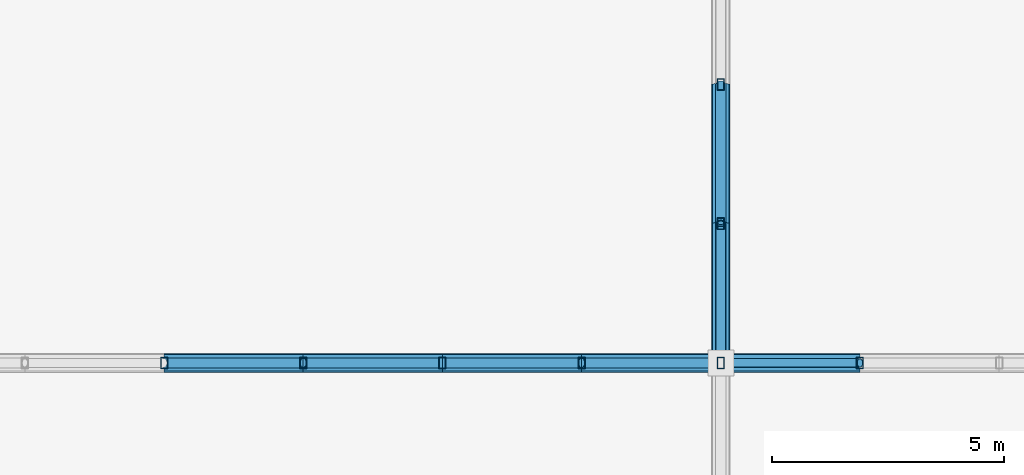
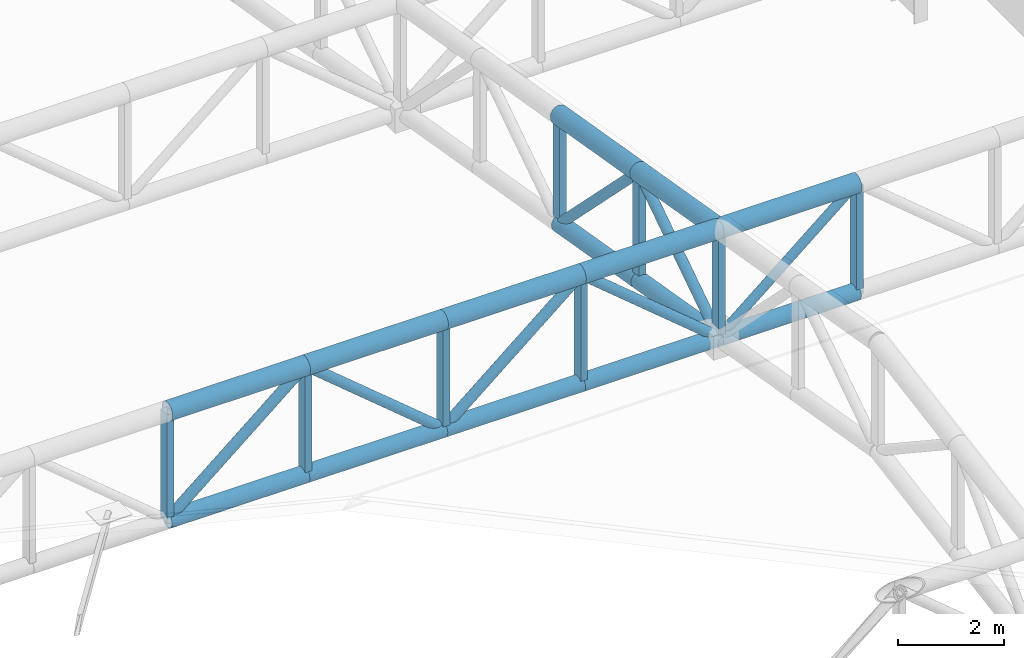
# One storey, part 118 of 239: 29 members.
"""IFC4 building model written with IfcOpenShell, lengths in metres."""

from ifc_helpers import new_model, si_unit, direction, frame, origin, origin_2d, place, context, subcontext, project, spatial, hollow_rectangle, hollow_circle, extrude, material, material_profile, profile_set, type_object, element, save


model = new_model("IFC4")

# Units and contexts
model_context = context("Model", 3, precision=1e-05, world=origin(), true_north=direction((0.0, 1.0)))
body_context = subcontext(model_context, "Body", "Model", "MODEL_VIEW")
ifc_project = project(units=[si_unit("LENGTHUNIT", "METRE"), si_unit("AREAUNIT", "SQUARE_METRE"), si_unit("VOLUMEUNIT", "CUBIC_METRE"), si_unit("PLANEANGLEUNIT", "RADIAN"), si_unit("MASSUNIT", "GRAM", prefix="KILO")], contexts=[model_context])

# Site, building, storey
site_placement = place(None, origin())
site = spatial("IfcSite", under=ifc_project, at=site_placement, CompositionType="ELEMENT")
building_placement = place(site_placement, origin())
building = spatial("IfcBuilding", under=site, at=building_placement, Name="Kaldris Quays Convention Centre", CompositionType="ELEMENT")
storey_placement = place(building_placement, frame((0.0, 0.0, 11.39990234375)))
storey = spatial("IfcBuildingStorey", under=building, at=storey_placement, Name="L02", CompositionType="ELEMENT", Elevation=11.39990234375)

# Members
ifc_material = material(Name="Steel S355J2H", Category="steel")
ifc_material_profile_1 = material_profile(ifc_material, hollow_circle(Radius=0.203125, WallThickness=0.01611328125, at=origin_2d()), Name="CHS 406.4x16")
ifc_profile_set_1 = profile_set([ifc_material_profile_1], Name="Steel S355J2H")
member_type_1 = type_object("IfcMemberType", Name="STRUCTURAL MEMBER SC01", PredefinedType="CHORD", material=ifc_profile_set_1)
for number, where, z_axis, x_axis, name in (
    (1, (116.0, 104.0, 15.84326171875), (1.0, 0.0, 0.0), (0.0, 1.0, 0.0), "SF-V1 Top Chord X 201"),
    (2, (119.0, 104.0, 15.84326171875), (1.0, 0.0, 0.0), (0.0, 1.0, 0.0), "SF-V1 Top Chord X 202"),
    (3, (122.0, 104.0, 15.84326171875), (1.0, 0.0, 0.0), (0.0, 1.0, 0.0), "SF-V1 Top Chord X 203"),
    (4, (125.0, 104.0, 15.84326171875), (1.0, 0.0, 0.0), (0.0, 1.0, 0.0), "SF-V1 Top Chord X 204"),
    (5, (128.0, 104.0, 15.84326171875), (1.0, 0.0, 0.0), (0.0, 1.0, 0.0), "SF-V1 Top Chord X 205"),
):
    element("IfcMember", number, at=place(storey_placement, frame(where, z_axis=z_axis, x_axis=x_axis)), inside=storey, type_object=member_type_1, Name=name, PredefinedType="CHORD", context=body_context, shape_type="SweptSolid", body=[
        extrude(hollow_circle(Radius=0.203125, WallThickness=0.01611328125, at=origin_2d()), origin(), (0.0, 0.0, 1.0), 3.0),
    ])
for number, where, z_axis, x_axis, name in (
    (6, (128.0, 104.0, 15.84326171875), (0.0, 0.98562912375, -0.168923741424), (-1.0, 0.0, 0.0), "SF-V1 Top Chord Y 521"),
    (7, (128.0, 107.0, 15.3291015625), (0.0, 0.985615766076, -0.169001661712), (-1.0, 0.0, 0.0), "SF-V1 Top Chord Y 522"),
):
    element("IfcMember", number, at=place(storey_placement, frame(where, z_axis=z_axis, x_axis=x_axis)), inside=storey, type_object=member_type_1, Name=name, PredefinedType="CHORD", context=body_context, shape_type="SweptSolid", body=[
        extrude(hollow_circle(Radius=0.203125, WallThickness=0.01611328125, at=origin_2d()), origin(), (0.0, 0.0, 1.0), 3.043701171875),
    ])
ifc_material_profile_2 = material_profile(ifc_material, hollow_circle(Radius=0.177734375, WallThickness=0.01611328125, at=origin_2d()), Name="CHS 355.6x16")
ifc_profile_set_2 = profile_set([ifc_material_profile_2], Name="Steel S355J2H")
member_type_2 = type_object("IfcMemberType", Name="STRUCTURAL MEMBER SC02", PredefinedType="CHORD", material=ifc_profile_set_2)
for number, where, z_axis, x_axis, name in (
    (8, (116.0, 104.0, 13.34326171875), (1.0, 0.0, 0.0), (0.0, 1.0, 0.0), "SF-V1 Bottom Chord X 201"),
    (9, (119.0, 104.0, 13.34326171875), (1.0, 0.0, 0.0), (0.0, 1.0, 0.0), "SF-V1 Bottom Chord X 202"),
    (10, (122.0, 104.0, 13.34326171875), (1.0, 0.0, 0.0), (0.0, 1.0, 0.0), "SF-V1 Bottom Chord X 203"),
    (11, (125.0, 104.0, 13.34326171875), (1.0, 0.0, 0.0), (0.0, 1.0, 0.0), "SF-V1 Bottom Chord X 204"),
    (12, (128.0, 104.0, 13.34326171875), (1.0, 0.0, 0.0), (0.0, 1.0, 0.0), "SF-V1 Bottom Chord X 205"),
):
    element("IfcMember", number, at=place(storey_placement, frame(where, z_axis=z_axis, x_axis=x_axis)), inside=storey, type_object=member_type_2, Name=name, PredefinedType="CHORD", context=body_context, shape_type="SweptSolid", body=[
        extrude(hollow_circle(Radius=0.177734375, WallThickness=0.01611328125, at=origin_2d()), origin(), (0.0, 0.0, 1.0), 3.0),
    ])
for number, where, z_axis, x_axis, name in (
    (13, (128.0, 104.0, 13.34326171875), (0.0, 0.98562912375, -0.168923741424), (-1.0, 0.0, 0.0), "SF-V1 Bottom Chord Y 521"),
    (14, (128.0, 107.0, 12.8291015625), (0.0, 0.985615766076, -0.169001661712), (-1.0, 0.0, 0.0), "SF-V1 Bottom Chord Y 522"),
):
    element("IfcMember", number, at=place(storey_placement, frame(where, z_axis=z_axis, x_axis=x_axis)), inside=storey, type_object=member_type_2, Name=name, PredefinedType="CHORD", context=body_context, shape_type="SweptSolid", body=[
        extrude(hollow_circle(Radius=0.177734375, WallThickness=0.01611328125, at=origin_2d()), origin(), (0.0, 0.0, 1.0), 3.043701171875),
    ])
ifc_material_profile_3 = material_profile(ifc_material, hollow_circle(Radius=0.109619140625, WallThickness=0.010009765625, at=origin_2d()), Name="CHS 219.1x10")
ifc_profile_set_3 = profile_set([ifc_material_profile_3], Name="Steel S355J2H")
member_type_3 = type_object("IfcMemberType", Name="STRUCTURAL MEMBER SWB1", PredefinedType="BRACE", material=ifc_profile_set_3)
for number, where, z_axis, x_axis, name in (
    (15, (116.0, 104.0, 13.34326171875), (0.768221279597, 0.0, 0.640184399664), (0.0, 1.0, 0.0), "SF-V1 Web Diagonal X 201"),
    (16, (122.0, 104.0, 13.34326171875), (-0.768221279597, 0.0, 0.640184399664), (0.0, -1.0, 0.0), "SF-V1 Web Diagonal X 202"),
    (17, (122.0, 104.0, 13.34326171875), (0.768221279597, 0.0, 0.640184399664), (0.0, 1.0, 0.0), "SF-V1 Web Diagonal X 203"),
    (18, (128.0, 104.0, 13.34326171875), (-0.768221279597, 0.0, 0.640184399664), (0.0, -1.0, 0.0), "SF-V1 Web Diagonal X 204"),
):
    element("IfcMember", number, at=place(storey_placement, frame(where, z_axis=z_axis, x_axis=x_axis)), inside=storey, type_object=member_type_3, Name=name, PredefinedType="BRACE", context=body_context, shape_type="SweptSolid", body=[
        extrude(hollow_circle(Radius=0.109619140625, WallThickness=0.010009765625, at=origin_2d()), origin(), (0.0, 0.0, 1.0), 3.905029296875),
    ])
member_1_placement = place(storey_placement, frame((128.0, 104.0, 13.34326171875), z_axis=(0.0, 0.833862389808, 0.551972385962), x_axis=(-1.0, 0.0, 0.0)))
element("IfcMember", 19, at=member_1_placement, inside=storey, type_object=member_type_3, Name="SF-V1 Web Diagonal Y 521", PredefinedType="BRACE", context=body_context, shape_type="SweptSolid", body=[
    extrude(hollow_circle(Radius=0.109619140625, WallThickness=0.010009765625, at=origin_2d()), origin(), (0.0, 0.0, 1.0), 3.59765625),
])
member_2_placement = place(storey_placement, frame((128.0, 110.0, 12.314697265625), z_axis=(0.0, -0.705411261057, 0.708798245465), x_axis=(1.0, 0.0, 0.0)))
element("IfcMember", 20, at=member_2_placement, inside=storey, type_object=member_type_3, Name="SF-V1 Web Diagonal Y 522", PredefinedType="BRACE", context=body_context, shape_type="SweptSolid", body=[
    extrude(hollow_circle(Radius=0.109619140625, WallThickness=0.010009765625, at=origin_2d()), origin(), (0.0, 0.0, 1.0), 4.2529296875),
])
ifc_material_profile_4 = material_profile(ifc_material, hollow_circle(Radius=0.096923828125, WallThickness=0.008056640625, at=origin_2d()), Name="CHS 193.7x8")
ifc_profile_set_4 = profile_set([ifc_material_profile_4], Name="Steel S355J2H")
member_type_4 = type_object("IfcMemberType", Name="STRUCTURAL MEMBER SWB3", PredefinedType="BRACE", material=ifc_profile_set_4)
member_3_placement = place(storey_placement, frame((128.0, 104.0, 13.34326171875), z_axis=(0.768221279597, 0.0, 0.640184399664), x_axis=(0.0, 1.0, 0.0)))
element("IfcMember", 21, at=member_3_placement, inside=storey, type_object=member_type_4, Name="SF-V1 Web Diagonal X 205", PredefinedType="BRACE", context=body_context, shape_type="SweptSolid", body=[
    extrude(hollow_circle(Radius=0.096923828125, WallThickness=0.008056640625, at=origin_2d()), origin(), (0.0, 0.0, 1.0), 3.905029296875),
])
ifc_material_profile_5 = material_profile(ifc_material, hollow_rectangle(XDim=0.14990234375, YDim=0.25, WallThickness=0.010009765625, at=origin_2d()), Name="RHS 250x150x10")
ifc_profile_set_5 = profile_set([ifc_material_profile_5], Name="Steel S355J2H")
member_type_5 = type_object("IfcMemberType", Name="STRUCTURAL MEMBER TTV1", PredefinedType="POST", material=ifc_profile_set_5)
for number, where, z_axis, x_axis, name in (
    (22, (116.0, 104.0, 13.34326171875), (0.0, 0.0, 1.0), (1.0, 0.0, 0.0), "SF-V1 Space-Frame Post 387"),
    (23, (119.0, 104.0, 13.34326171875), (0.0, 0.0, 1.0), (1.0, 0.0, 0.0), "SF-V1 Space-Frame Post 395"),
    (24, (122.0, 104.0, 13.34326171875), (0.0, 0.0, 1.0), (1.0, 0.0, 0.0), "SF-V1 Space-Frame Post 403"),
    (25, (125.0, 104.0, 13.34326171875), (0.0, 0.0, 1.0), (1.0, 0.0, 0.0), "SF-V1 Space-Frame Post 411"),
    (26, (128.0, 104.0, 13.34326171875), (0.0, 0.0, 1.0), (1.0, 0.0, 0.0), "SF-V1 Space-Frame Post 431"),
    (27, (128.0, 107.0, 12.8291015625), (0.0, 0.0, 1.0), (1.0, 0.0, 0.0), "SF-V1 Space-Frame Post 432"),
    (28, (128.0, 110.0, 12.314697265625), (0.0, 0.0, 1.0), (1.0, 0.0, 0.0), "SF-V1 Space-Frame Post 433"),
    (29, (131.0, 104.0, 13.34326171875), (0.0, 0.0, 1.0), (1.0, 0.0, 0.0), "SF-V1 Space-Frame Post 448"),
):
    element("IfcMember", number, at=place(storey_placement, frame(where, z_axis=z_axis, x_axis=x_axis)), inside=storey, type_object=member_type_5, Name=name, PredefinedType="POST", context=body_context, shape_type="SweptSolid", body=[
        extrude(hollow_rectangle(XDim=0.14990234375, YDim=0.25, WallThickness=0.010009765625, at=origin_2d()), origin(), (0.0, 0.0, 1.0), 2.5),
    ])

save(model, "model.ifc")
